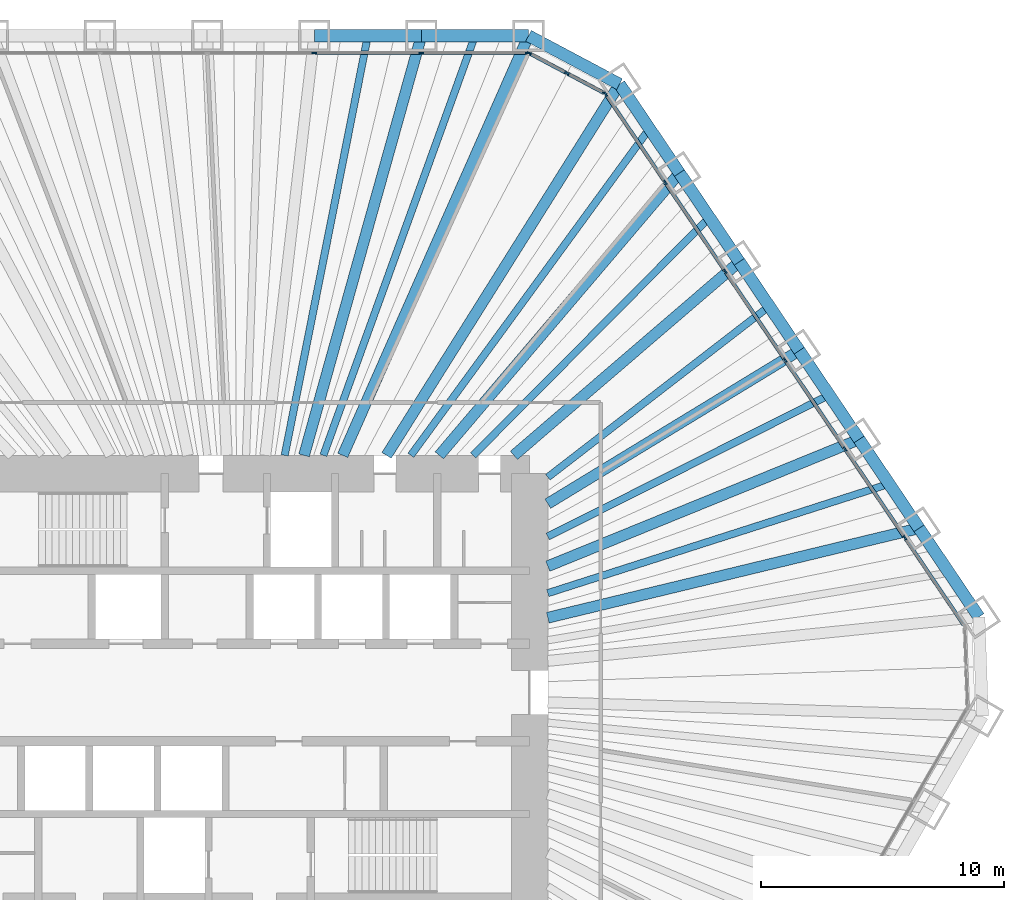
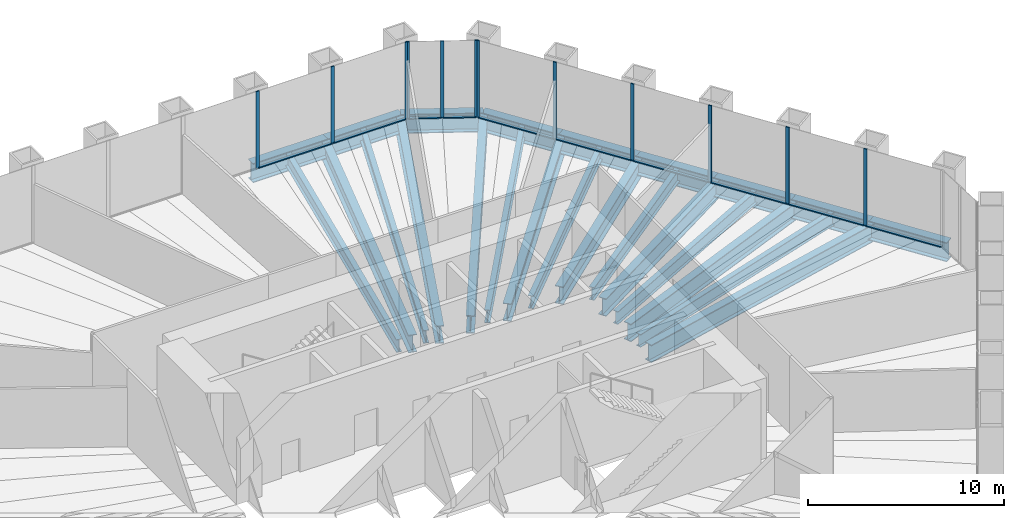
# One storey, part 7 of 14: 24 beams, 22 members, 3 elements without a shape of their own.
"""IFC4 building model written with IfcOpenShell, lengths in metres."""

from ifc_helpers import new_model, si_unit, direction, frame, origin, origin_2d, place, context, subcontext, project, spatial, rectangle, i_section, extrude, material, material_profile, profile_set, type_object, element, aggregate, save


model = new_model("IFC4")

# Units and contexts
model_context = context("Model", 3, precision=1e-05, world=origin(), true_north=direction((0.0, 1.0)))
body_context = subcontext(model_context, "Body", "Model", "MODEL_VIEW")
ifc_project = project(units=[si_unit("LENGTHUNIT", "METRE"), si_unit("AREAUNIT", "SQUARE_METRE"), si_unit("VOLUMEUNIT", "CUBIC_METRE"), si_unit("PLANEANGLEUNIT", "RADIAN"), si_unit("MASSUNIT", "GRAM", prefix="KILO")], contexts=[model_context])

# Site, building, storey
site_placement = place(None, origin())
site = spatial("IfcSite", under=ifc_project, at=site_placement, CompositionType="ELEMENT")
building_placement = place(site_placement, origin())
building = spatial("IfcBuilding", under=site, at=building_placement, Name="Qingtian Harvest Tower", CompositionType="ELEMENT")
storey_placement = place(building_placement, frame((0.0, 0.0, 52.0)))
storey = spatial("IfcBuildingStorey", under=building, at=storey_placement, Name="L10", CompositionType="ELEMENT", Elevation=52.0)

# Beams
ifc_material_1 = material(Name="Steel SM570MC", Category="steel")
ifc_material_profile_1 = material_profile(ifc_material_1, i_section(OverallWidth=0.449951171875, OverallDepth=1.10009765625, WebThickness=0.02197265625, FlangeThickness=0.044921875, at=origin_2d()), Name="H1100x450x22x45")
ifc_profile_set_1 = profile_set([ifc_material_profile_1], Name="Steel SM570MC")
beam_type_1 = type_object("IfcBeamType", Name="Corner floor beam FB8 H1100x450x22x45", PredefinedType="BEAM", material=ifc_profile_set_1)
beam_1_placement = place(storey_placement, frame((11.9560546875, 27.0, -0.75), z_axis=(-0.404898955654, -0.914361436036, 0.0), x_axis=(0.914361436036, -0.404898955654, 0.0)))
element("IfcBeam", 1, at=beam_1_placement, inside=storey, type_object=beam_type_1, Name="Floor beam FB8 N6", PredefinedType="BEAM", context=body_context, shape_type="SweptSolid", body=[
    extrude(i_section(OverallWidth=0.449951171875, OverallDepth=1.10009765625, WebThickness=0.02197265625, FlangeThickness=0.044921875, at=origin_2d()), origin(), (0.0, 0.0, 1.0), 18.86572265625),
])
beam_2_placement = place(storey_placement, frame((15.6982421875, 25.01025390625, -0.75), z_axis=(-0.531622796942, -0.846981228701, 0.0), x_axis=(0.846981228701, -0.531622796942, 0.0)))
element("IfcBeam", 2, at=beam_2_placement, inside=storey, type_object=beam_type_1, Name="Floor beam FB8 NE0", PredefinedType="BEAM", context=body_context, shape_type="SweptSolid", body=[
    extrude(i_section(OverallWidth=0.449951171875, OverallDepth=1.10009765625, WebThickness=0.02197265625, FlangeThickness=0.044921875, at=origin_2d()), origin(), (0.0, 0.0, 1.0), 18.017333984375),
])
ifc_material_2 = material(Name="Steel SM570MC", Category="steel")
ifc_material_profile_2 = material_profile(ifc_material_2, i_section(OverallWidth=0.449951171875, OverallDepth=1.10009765625, WebThickness=0.02197265625, FlangeThickness=0.044921875, at=origin_2d()), Name="H1100x450x22x45")
ifc_profile_set_2 = profile_set([ifc_material_profile_2], Name="Steel SM570MC")
beam_type_2 = type_object("IfcBeamType", Name="Floor beam FB1 H1100x450x22x45", PredefinedType="BEAM", material=ifc_profile_set_2)
beam_3_placement = place(storey_placement, frame((7.551513671875, 27.0, -0.75), z_axis=(-0.269343258019, -0.963044240604, 0.0), x_axis=(0.963044240604, -0.269343258019, 0.0)))
element("IfcBeam", 3, at=beam_3_placement, inside=storey, type_object=beam_type_2, Name="Floor beam FB1 N5", PredefinedType="BEAM", context=body_context, shape_type="SweptSolid", body=[
    extrude(i_section(OverallWidth=0.449951171875, OverallDepth=1.10009765625, WebThickness=0.02197265625, FlangeThickness=0.044921875, at=origin_2d()), origin(), (0.0, 0.0, 1.0), 17.911865234375),
])
beam_4_placement = place(storey_placement, frame((18.1611328125, 21.358642578125, -0.75), z_axis=(-0.647781887327, -0.761825850474, 0.0), x_axis=(0.761825850474, -0.647781887327, 0.0)))
element("IfcBeam", 4, at=beam_4_placement, inside=storey, type_object=beam_type_2, Name="Floor beam FB1 NE1", PredefinedType="BEAM", context=body_context, shape_type="SweptSolid", body=[
    extrude(i_section(OverallWidth=0.449951171875, OverallDepth=1.10009765625, WebThickness=0.02197265625, FlangeThickness=0.044921875, at=origin_2d()), origin(), (0.0, 0.0, 1.0), 15.238037109375),
])
beam_5_placement = place(storey_placement, frame((20.624267578125, 17.70703125, -0.75), z_axis=(-0.75873153072, -0.651403457384, 0.0), x_axis=(0.651403457384, -0.75873153072, 0.0)))
element("IfcBeam", 5, at=beam_5_placement, inside=storey, type_object=beam_type_2, Name="Floor beam FB1 NE2", PredefinedType="BEAM", context=body_context, shape_type="SweptSolid", body=[
    extrude(i_section(OverallWidth=0.449951171875, OverallDepth=1.10009765625, WebThickness=0.02197265625, FlangeThickness=0.044921875, at=origin_2d()), origin(), (0.0, 0.0, 1.0), 12.21533203125),
])
beam_6_placement = place(storey_placement, frame((23.08740234375, 14.0556640625, -0.75), z_axis=(-0.854157261259, -0.520014781558, 0.0), x_axis=(0.520014781558, -0.854157261259, 0.0)))
element("IfcBeam", 6, at=beam_6_placement, inside=storey, type_object=beam_type_2, Name="Floor beam FB1 NE3", PredefinedType="BEAM", context=body_context, shape_type="SweptSolid", body=[
    extrude(i_section(OverallWidth=0.449951171875, OverallDepth=1.10009765625, WebThickness=0.02197265625, FlangeThickness=0.044921875, at=origin_2d()), origin(), (0.0, 0.0, 1.0), 12.1025390625),
])
beam_7_placement = place(storey_placement, frame((25.55029296875, 10.404052734375, -0.75), z_axis=(-0.926156354735, -0.37713977062, 0.0), x_axis=(0.37713977062, -0.926156354735, 0.0)))
element("IfcBeam", 7, at=beam_7_placement, inside=storey, type_object=beam_type_2, Name="Floor beam FB1 NE4", PredefinedType="BEAM", context=body_context, shape_type="SweptSolid", body=[
    extrude(i_section(OverallWidth=0.449951171875, OverallDepth=1.10009765625, WebThickness=0.02197265625, FlangeThickness=0.044921875, at=origin_2d()), origin(), (0.0, 0.0, 1.0), 13.82080078125),
])
beam_8_placement = place(storey_placement, frame((28.013427734375, 6.75244140625, -0.75), z_axis=(-0.972155908389, -0.234334994792, 0.0), x_axis=(0.234334994792, -0.972155908389, 0.0)))
element("IfcBeam", 8, at=beam_8_placement, inside=storey, type_object=beam_type_2, Name="Floor beam FB1 NE5", PredefinedType="BEAM", context=body_context, shape_type="SweptSolid", body=[
    extrude(i_section(OverallWidth=0.449951171875, OverallDepth=1.10009765625, WebThickness=0.02197265625, FlangeThickness=0.044921875, at=origin_2d()), origin(), (0.0, 0.0, 1.0), 15.70068359375),
])
ifc_material_3 = material(Name="Steel SN490B", Category="steel")
ifc_material_profile_3 = material_profile(ifc_material_3, i_section(OverallWidth=0.300048828125, OverallDepth=0.800048828125, WebThickness=0.013916015625, FlangeThickness=0.02587890625, at=origin_2d()), Name="H800x300x14x26")
ifc_profile_set_3 = profile_set([ifc_material_profile_3], Name="Steel SN490B")
beam_type_3 = type_object("IfcBeamType", Name="Floor joist J1 H800x300x14x26", PredefinedType="JOIST", material=ifc_profile_set_3)
beam_9_placement = place(storey_placement, frame((5.349365234375, 27.0, -0.60009765625), z_axis=(-0.19435104803, -0.980932041545, 0.0), x_axis=(0.980932041545, -0.19435104803, 0.0)))
element("IfcBeam", 9, at=beam_9_placement, inside=storey, type_object=beam_type_3, Name="Floor joist J1 N4", PredefinedType="JOIST", context=body_context, shape_type="SweptSolid", body=[
    extrude(i_section(OverallWidth=0.300048828125, OverallDepth=0.800048828125, WebThickness=0.013916015625, FlangeThickness=0.02587890625, at=origin_2d()), origin(), (0.0, 0.0, 1.0), 17.585205078125),
])
beam_10_placement = place(storey_placement, frame((9.75390625, 27.0, -0.60009765625), z_axis=(-0.339766141765, -0.940509951521, 0.0), x_axis=(0.940509951521, -0.339766141765, 0.0)))
element("IfcBeam", 10, at=beam_10_placement, inside=storey, type_object=beam_type_3, Name="Floor joist J1 N5", PredefinedType="JOIST", context=body_context, shape_type="SweptSolid", body=[
    extrude(i_section(OverallWidth=0.300048828125, OverallDepth=0.800048828125, WebThickness=0.013916015625, FlangeThickness=0.02587890625, at=origin_2d()), origin(), (0.0, 0.0, 1.0), 18.341064453125),
])
beam_11_placement = place(storey_placement, frame((16.9296875, 23.1845703125, -0.60009765625), z_axis=(-0.589722175422, -0.80760618857, 0.0), x_axis=(0.80760618857, -0.589722175422, 0.0)))
element("IfcBeam", 11, at=beam_11_placement, inside=storey, type_object=beam_type_3, Name="Floor joist J1 NE0", PredefinedType="JOIST", context=body_context, shape_type="SweptSolid", body=[
    extrude(i_section(OverallWidth=0.300048828125, OverallDepth=0.800048828125, WebThickness=0.013916015625, FlangeThickness=0.02587890625, at=origin_2d()), origin(), (0.0, 0.0, 1.0), 16.635009765625),
])
beam_12_placement = place(storey_placement, frame((19.392822265625, 19.532958984375, -0.60009765625), z_axis=(-0.704560879039, -0.709643549768, 0.0), x_axis=(0.709643549768, -0.704560879039, 0.0)))
element("IfcBeam", 12, at=beam_12_placement, inside=storey, type_object=beam_type_3, Name="Floor joist J1 NE1", PredefinedType="JOIST", context=body_context, shape_type="SweptSolid", body=[
    extrude(i_section(OverallWidth=0.300048828125, OverallDepth=0.800048828125, WebThickness=0.013916015625, FlangeThickness=0.02587890625, at=origin_2d()), origin(), (0.0, 0.0, 1.0), 13.78564453125),
])
beam_13_placement = place(storey_placement, frame((21.855712890625, 15.88134765625, -0.60009765625), z_axis=(-0.79149450594, -0.611176281499, 0.0), x_axis=(0.611176281499, -0.79149450594, 0.0)))
element("IfcBeam", 13, at=beam_13_placement, inside=storey, type_object=beam_type_3, Name="Floor joist J1 NE2", PredefinedType="JOIST", context=body_context, shape_type="SweptSolid", body=[
    extrude(i_section(OverallWidth=0.300048828125, OverallDepth=0.800048828125, WebThickness=0.013916015625, FlangeThickness=0.02587890625, at=origin_2d()), origin(), (0.0, 0.0, 1.0), 11.50439453125),
])
beam_14_placement = place(storey_placement, frame((24.31884765625, 12.229736328125, -0.60009765625), z_axis=(-0.893391632689, -0.449278744924, 0.0), x_axis=(0.449278744924, -0.893391632689, 0.0)))
element("IfcBeam", 14, at=beam_14_placement, inside=storey, type_object=beam_type_3, Name="Floor joist J1 NE3", PredefinedType="JOIST", context=body_context, shape_type="SweptSolid", body=[
    extrude(i_section(OverallWidth=0.300048828125, OverallDepth=0.800048828125, WebThickness=0.013916015625, FlangeThickness=0.02587890625, at=origin_2d()), origin(), (0.0, 0.0, 1.0), 12.949462890625),
])
beam_15_placement = place(storey_placement, frame((26.78173828125, 8.578125, -0.60009765625), z_axis=(-0.952340804978, -0.305036048976, 0.0), x_axis=(0.305036048976, -0.952340804978, 0.0)))
element("IfcBeam", 15, at=beam_15_placement, inside=storey, type_object=beam_type_3, Name="Floor joist J1 NE4", PredefinedType="JOIST", context=body_context, shape_type="SweptSolid", body=[
    extrude(i_section(OverallWidth=0.300048828125, OverallDepth=0.800048828125, WebThickness=0.013916015625, FlangeThickness=0.02587890625, at=origin_2d()), origin(), (0.0, 0.0, 1.0), 14.73388671875),
])

# Curtain wall, members
ifc_material_4 = material(Name="Bronze-anodised aluminium curtain wall", Category="aluminium")
curtain_wall_type = type_object("IfcCurtainWallType", Name="Curtain wall CW2 farm reception", PredefinedType="USERDEFINED", material=ifc_material_4)
curtain_wall_1_placement = place(storey_placement, origin())
curtain_wall_1 = element("IfcCurtainWall", 16, at=curtain_wall_1_placement, inside=storey, type_object=curtain_wall_type, Name="Curtain wall CW2 L10 N0-5", ObjectType="RECESSED CURTAIN WALL", PredefinedType="USERDEFINED")
ifc_material_5 = material(Name="Bronze-anodised aluminium mullion", Category="aluminium")
ifc_material_profile_4 = material_profile(ifc_material_5, rectangle(XDim=0.06494140625, YDim=0.199951171875, at=origin_2d()), Name="AL 65x200")
ifc_profile_set_4 = profile_set([ifc_material_profile_4], Name="Bronze-anodised aluminium mullion")
member_type_1 = type_object("IfcMemberType", Name="Mullion CWM 65x200", PredefinedType="MULLION", material=ifc_profile_set_4)
member_1_placement = place(storey_placement, frame((3.14697265625, 26.300048828125, 0.0), z_axis=(0.0, 0.0, 1.0), x_axis=(0.0, 1.0, 0.0)))
member_1 = element("IfcMember", 17, at=member_1_placement, type_object=member_type_1, Name="CW2 mullion 5", PredefinedType="MULLION", context=body_context, shape_type="SweptSolid", body=[
    extrude(rectangle(XDim=0.06494140625, YDim=0.199951171875, at=origin_2d()), origin(), (0.0, 0.0, 1.0), 4.800048828125),
])
member_2_placement = place(storey_placement, frame((7.551513671875, 26.300048828125, 0.0), z_axis=(0.0, 0.0, 1.0), x_axis=(0.0, 1.0, 0.0)))
member_2 = element("IfcMember", 18, at=member_2_placement, type_object=member_type_1, Name="CW2 mullion 6", PredefinedType="MULLION", context=body_context, shape_type="SweptSolid", body=[
    extrude(rectangle(XDim=0.06494140625, YDim=0.199951171875, at=origin_2d()), origin(), (0.0, 0.0, 1.0), 4.800048828125),
])
member_3_placement = place(storey_placement, frame((11.923583984375, 26.300048828125, 0.0), z_axis=(0.0, 0.0, 1.0), x_axis=(0.0, 1.0, 0.0)))
member_3 = element("IfcMember", 19, at=member_3_placement, type_object=member_type_1, Name="CW2 mullion 7", PredefinedType="MULLION", context=body_context, shape_type="SweptSolid", body=[
    extrude(rectangle(XDim=0.06494140625, YDim=0.199951171875, at=origin_2d()), origin(), (0.0, 0.0, 1.0), 4.800048828125),
])

curtain_wall_2_placement = place(storey_placement, origin())
curtain_wall_2 = element("IfcCurtainWall", 20, at=curtain_wall_2_placement, inside=storey, type_object=curtain_wall_type, Name="Curtain wall CW2 L10 NC", ObjectType="RECESSED CURTAIN WALL", PredefinedType="USERDEFINED")
member_4_placement = place(storey_placement, frame((11.98486328125, 26.28466796875, 0.0), z_axis=(0.0, 0.0, 1.0), x_axis=(0.469471562786, 0.882947592859, 0.0)))
member_4 = element("IfcMember", 21, at=member_4_placement, type_object=member_type_1, Name="CW2 mullion 1", PredefinedType="MULLION", context=body_context, shape_type="SweptSolid", body=[
    extrude(rectangle(XDim=0.06494140625, YDim=0.199951171875, at=origin_2d()), origin(), (0.0, 0.0, 1.0), 4.800048828125),
])
member_5_placement = place(storey_placement, frame((13.537109375, 25.45947265625, 0.0), z_axis=(0.0, 0.0, 1.0), x_axis=(0.469471562786, 0.882947592859, 0.0)))
member_5 = element("IfcMember", 22, at=member_5_placement, type_object=member_type_1, Name="CW2 mullion 2", PredefinedType="MULLION", context=body_context, shape_type="SweptSolid", body=[
    extrude(rectangle(XDim=0.06494140625, YDim=0.199951171875, at=origin_2d()), origin(), (0.0, 0.0, 1.0), 4.800048828125),
])
member_6_placement = place(storey_placement, frame((15.089111328125, 24.634033203125, 0.0), z_axis=(0.0, 0.0, 1.0), x_axis=(0.469471562786, 0.882947592859, 0.0)))
member_6 = element("IfcMember", 23, at=member_6_placement, type_object=member_type_1, Name="CW2 mullion 3", PredefinedType="MULLION", context=body_context, shape_type="SweptSolid", body=[
    extrude(rectangle(XDim=0.06494140625, YDim=0.199951171875, at=origin_2d()), origin(), (0.0, 0.0, 1.0), 4.800048828125),
])

curtain_wall_3_placement = place(storey_placement, origin())
curtain_wall_3 = element("IfcCurtainWall", 24, at=curtain_wall_3_placement, inside=storey, type_object=curtain_wall_type, Name="Curtain wall CW2 L10 NE0-5", ObjectType="RECESSED CURTAIN WALL", PredefinedType="USERDEFINED")
member_7_placement = place(storey_placement, frame((15.135986328125, 24.592041015625, 0.0), z_axis=(0.0, 0.0, 1.0), x_axis=(0.829037572555, 0.559192903471, 0.0)))
member_7 = element("IfcMember", 25, at=member_7_placement, type_object=member_type_1, Name="CW2 mullion 1", PredefinedType="MULLION", context=body_context, shape_type="SweptSolid", body=[
    extrude(rectangle(XDim=0.06494140625, YDim=0.199951171875, at=origin_2d()), origin(), (0.0, 0.0, 1.0), 4.800048828125),
])
member_8_placement = place(storey_placement, frame((17.580810546875, 20.96728515625, 0.0), z_axis=(0.0, 0.0, 1.0), x_axis=(0.829037572555, 0.559192903471, 0.0)))
member_8 = element("IfcMember", 26, at=member_8_placement, type_object=member_type_1, Name="CW2 mullion 2", PredefinedType="MULLION", context=body_context, shape_type="SweptSolid", body=[
    extrude(rectangle(XDim=0.06494140625, YDim=0.199951171875, at=origin_2d()), origin(), (0.0, 0.0, 1.0), 4.800048828125),
])
member_9_placement = place(storey_placement, frame((20.0439453125, 17.315673828125, 0.0), z_axis=(0.0, 0.0, 1.0), x_axis=(0.829037572555, 0.559192903471, 0.0)))
member_9 = element("IfcMember", 27, at=member_9_placement, type_object=member_type_1, Name="CW2 mullion 3", PredefinedType="MULLION", context=body_context, shape_type="SweptSolid", body=[
    extrude(rectangle(XDim=0.06494140625, YDim=0.199951171875, at=origin_2d()), origin(), (0.0, 0.0, 1.0), 4.800048828125),
])
member_10_placement = place(storey_placement, frame((22.507080078125, 13.6640625, 0.0), z_axis=(0.0, 0.0, 1.0), x_axis=(0.829037572555, 0.559192903471, 0.0)))
member_10 = element("IfcMember", 28, at=member_10_placement, type_object=member_type_1, Name="CW2 mullion 4", PredefinedType="MULLION", context=body_context, shape_type="SweptSolid", body=[
    extrude(rectangle(XDim=0.06494140625, YDim=0.199951171875, at=origin_2d()), origin(), (0.0, 0.0, 1.0), 4.800048828125),
])
member_11_placement = place(storey_placement, frame((24.969970703125, 10.012451171875, 0.0), z_axis=(0.0, 0.0, 1.0), x_axis=(0.829037572555, 0.559192903471, 0.0)))
member_11 = element("IfcMember", 29, at=member_11_placement, type_object=member_type_1, Name="CW2 mullion 5", PredefinedType="MULLION", context=body_context, shape_type="SweptSolid", body=[
    extrude(rectangle(XDim=0.06494140625, YDim=0.199951171875, at=origin_2d()), origin(), (0.0, 0.0, 1.0), 4.800048828125),
])
member_12_placement = place(storey_placement, frame((27.43310546875, 6.36083984375, 0.0), z_axis=(0.0, 0.0, 1.0), x_axis=(0.829037572555, 0.559192903471, 0.0)))
member_12 = element("IfcMember", 30, at=member_12_placement, type_object=member_type_1, Name="CW2 mullion 6", PredefinedType="MULLION", context=body_context, shape_type="SweptSolid", body=[
    extrude(rectangle(XDim=0.06494140625, YDim=0.199951171875, at=origin_2d()), origin(), (0.0, 0.0, 1.0), 4.800048828125),
])

# Beams
ifc_material_6 = material(Name="Steel SM570MC", Category="steel")
ifc_material_profile_5 = material_profile(ifc_material_6, i_section(OverallWidth=0.5, OverallDepth=1.199951171875, WebThickness=0.02490234375, FlangeThickness=0.050048828125, at=origin_2d()), Name="H1200x500x25x50")
ifc_profile_set_5 = profile_set([ifc_material_profile_5], Name="Steel SM570MC")
beam_type_4 = type_object("IfcBeamType", Name="Spandrel beam SB1 H1200x500x25x50", PredefinedType="SPANDREL", material=ifc_profile_set_5)
for number, where, z_axis, x_axis, name in (
    (31, (3.14697265625, 27.0, -0.60009765625), (1.0, 0.0, 0.0), (0.0, 1.0, 0.0), "Spandrel SB1 N4"),
    (32, (7.551513671875, 27.0, -0.60009765625), (1.0, 0.0, 0.0), (0.0, 1.0, 0.0), "Spandrel SB1 N5"),
):
    element("IfcBeam", number, at=place(storey_placement, frame(where, z_axis=z_axis, x_axis=x_axis)), inside=storey, type_object=beam_type_4, Name=name, PredefinedType="SPANDREL", context=body_context, shape_type="SweptSolid", body=[
        extrude(i_section(OverallWidth=0.5, OverallDepth=1.199951171875, WebThickness=0.02490234375, FlangeThickness=0.050048828125, at=origin_2d()), origin(), (0.0, 0.0, 1.0), 4.404541015625),
    ])
beam_16_placement = place(storey_placement, frame((11.9560546875, 27.0, -0.60009765625), z_axis=(0.882948599748, -0.469469669099, 0.0), x_axis=(0.469469669099, 0.882948599748, 0.0)))
element("IfcBeam", 33, at=beam_16_placement, inside=storey, type_object=beam_type_4, Name="Spandrel SB1 NC", PredefinedType="SPANDREL", context=body_context, shape_type="SweptSolid", body=[
    extrude(i_section(OverallWidth=0.5, OverallDepth=1.199951171875, WebThickness=0.02490234375, FlangeThickness=0.050048828125, at=origin_2d()), origin(), (0.0, 0.0, 1.0), 4.23828125),
])
beam_17_placement = place(storey_placement, frame((15.6982421875, 25.01025390625, -0.60009765625), z_axis=(0.559169135272, -0.829053603912, 0.0), x_axis=(0.829053603912, 0.559169135272, 0.0)))
element("IfcBeam", 34, at=beam_17_placement, inside=storey, type_object=beam_type_4, Name="Spandrel SB1 NE0", PredefinedType="SPANDREL", context=body_context, shape_type="SweptSolid", body=[
    extrude(i_section(OverallWidth=0.5, OverallDepth=1.199951171875, WebThickness=0.02490234375, FlangeThickness=0.050048828125, at=origin_2d()), origin(), (0.0, 0.0, 1.0), 4.404541015625),
])
beam_18_placement = place(storey_placement, frame((18.1611328125, 21.358642578125, -0.60009765625), z_axis=(0.559207231603, -0.829027907928, 0.0), x_axis=(0.829027907928, 0.559207231603, 0.0)))
element("IfcBeam", 35, at=beam_18_placement, inside=storey, type_object=beam_type_4, Name="Spandrel SB1 NE1", PredefinedType="SPANDREL", context=body_context, shape_type="SweptSolid", body=[
    extrude(i_section(OverallWidth=0.5, OverallDepth=1.199951171875, WebThickness=0.02490234375, FlangeThickness=0.050048828125, at=origin_2d()), origin(), (0.0, 0.0, 1.0), 4.40478515625),
])
for number, where, z_axis, x_axis, name in (
    (36, (20.624267578125, 17.70703125, -0.60009765625), (0.559232928578, -0.829010573874, 0.0), (0.829010573874, 0.559232928578, 0.0), "Spandrel SB1 NE2"),
    (37, (23.08740234375, 14.0556640625, -0.60009765625), (0.559169135272, -0.829053603912, 0.0), (0.829053603912, 0.559169135272, 0.0), "Spandrel SB1 NE3"),
):
    element("IfcBeam", number, at=place(storey_placement, frame(where, z_axis=z_axis, x_axis=x_axis)), inside=storey, type_object=beam_type_4, Name=name, PredefinedType="SPANDREL", context=body_context, shape_type="SweptSolid", body=[
        extrude(i_section(OverallWidth=0.5, OverallDepth=1.199951171875, WebThickness=0.02490234375, FlangeThickness=0.050048828125, at=origin_2d()), origin(), (0.0, 0.0, 1.0), 4.404541015625),
    ])
beam_19_placement = place(storey_placement, frame((25.55029296875, 10.404052734375, -0.60009765625), z_axis=(0.559207231603, -0.829027907928, 0.0), x_axis=(0.829027907928, 0.559207231603, 0.0)))
element("IfcBeam", 38, at=beam_19_placement, inside=storey, type_object=beam_type_4, Name="Spandrel SB1 NE4", PredefinedType="SPANDREL", context=body_context, shape_type="SweptSolid", body=[
    extrude(i_section(OverallWidth=0.5, OverallDepth=1.199951171875, WebThickness=0.02490234375, FlangeThickness=0.050048828125, at=origin_2d()), origin(), (0.0, 0.0, 1.0), 4.40478515625),
])
beam_20_placement = place(storey_placement, frame((28.013427734375, 6.75244140625, -0.60009765625), z_axis=(0.559169135272, -0.829053603912, 0.0), x_axis=(0.829053603912, 0.559169135272, 0.0)))
element("IfcBeam", 39, at=beam_20_placement, inside=storey, type_object=beam_type_4, Name="Spandrel SB1 NE5", PredefinedType="SPANDREL", context=body_context, shape_type="SweptSolid", body=[
    extrude(i_section(OverallWidth=0.5, OverallDepth=1.199951171875, WebThickness=0.02490234375, FlangeThickness=0.050048828125, at=origin_2d()), origin(), (0.0, 0.0, 1.0), 4.404541015625),
])

# Member
ifc_material_7 = material(Name="Bronze-anodised aluminium transom", Category="aluminium")
ifc_material_profile_6 = material_profile(ifc_material_7, rectangle(XDim=0.14990234375, YDim=0.06494140625, at=origin_2d()), Name="AL 65x150")
ifc_profile_set_6 = profile_set([ifc_material_profile_6], Name="Bronze-anodised aluminium transom")
member_type_2 = type_object("IfcMemberType", Name="Transom CWT 65x150", PredefinedType="USERDEFINED", material=ifc_profile_set_6)
member_13_placement = place(storey_placement, frame((3.179443359375, 26.300048828125, 0.032470703125), z_axis=(1.0, 0.0, 0.0), x_axis=(0.0, 1.0, 0.0)))
member_13 = element("IfcMember", 40, at=member_13_placement, type_object=member_type_2, Name="CW2 transom 5.1", ObjectType="TRANSOM", PredefinedType="USERDEFINED", context=body_context, shape_type="SweptSolid", body=[
    extrude(rectangle(XDim=0.14990234375, YDim=0.06494140625, at=origin_2d()), origin(), (0.0, 0.0, 1.0), 4.339599609375),
])

member_14_placement = place(storey_placement, frame((7.583984375, 26.300048828125, 0.032470703125), z_axis=(1.0, 0.0, 0.0), x_axis=(0.0, 1.0, 0.0)))
member_14 = element("IfcMember", 41, at=member_14_placement, type_object=member_type_2, Name="CW2 transom 6.1", ObjectType="TRANSOM", PredefinedType="USERDEFINED", context=body_context, shape_type="SweptSolid", body=[
    extrude(rectangle(XDim=0.14990234375, YDim=0.06494140625, at=origin_2d()), origin(), (0.0, 0.0, 1.0), 4.30712890625),
])

aggregate(curtain_wall_1, [member_1, member_2, member_3, member_13, member_14])

member_15_placement = place(storey_placement, frame((12.013427734375, 26.26953125, 0.032470703125), z_axis=(0.882927080927, -0.469510138086, 0.0), x_axis=(0.469510138086, 0.882927080927, 0.0)))
member_15 = element("IfcMember", 42, at=member_15_placement, type_object=member_type_2, Name="CW2 transom 1.1", ObjectType="TRANSOM", PredefinedType="USERDEFINED", context=body_context, shape_type="SweptSolid", body=[
    extrude(rectangle(XDim=0.14990234375, YDim=0.06494140625, at=origin_2d()), origin(), (0.0, 0.0, 1.0), 1.693115234375),
])

member_16_placement = place(storey_placement, frame((13.565673828125, 25.444091796875, 0.032470703125), z_axis=(0.882986854304, -0.469397715297, 0.0), x_axis=(0.469397715297, 0.882986854304, 0.0)))
member_16 = element("IfcMember", 43, at=member_16_placement, type_object=member_type_2, Name="CW2 transom 2.1", ObjectType="TRANSOM", PredefinedType="USERDEFINED", context=body_context, shape_type="SweptSolid", body=[
    extrude(rectangle(XDim=0.14990234375, YDim=0.06494140625, at=origin_2d()), origin(), (0.0, 0.0, 1.0), 1.69287109375),
])

aggregate(curtain_wall_2, [member_4, member_5, member_6, member_15, member_16])

member_17_placement = place(storey_placement, frame((15.154296875, 24.56494140625, 0.032470703125), z_axis=(0.559178817275, -0.82904707364, 0.0), x_axis=(0.82904707364, 0.559178817275, 0.0)))
member_17 = element("IfcMember", 44, at=member_17_placement, type_object=member_type_2, Name="CW2 transom 1.1", ObjectType="TRANSOM", PredefinedType="USERDEFINED", context=body_context, shape_type="SweptSolid", body=[
    extrude(rectangle(XDim=0.14990234375, YDim=0.06494140625, at=origin_2d()), origin(), (0.0, 0.0, 1.0), 4.30712890625),
])

member_18_placement = place(storey_placement, frame((17.59912109375, 20.9404296875, 0.032470703125), z_axis=(0.559210013199, -0.82902603164, 0.0), x_axis=(0.82902603164, 0.559210013199, 0.0)))
member_18 = element("IfcMember", 45, at=member_18_placement, type_object=member_type_2, Name="CW2 transom 2.1", ObjectType="TRANSOM", PredefinedType="USERDEFINED", context=body_context, shape_type="SweptSolid", body=[
    extrude(rectangle(XDim=0.14990234375, YDim=0.06494140625, at=origin_2d()), origin(), (0.0, 0.0, 1.0), 4.339599609375),
])

member_19_placement = place(storey_placement, frame((20.06201171875, 17.288818359375, 0.032470703125), z_axis=(0.559210013199, -0.82902603164, 0.0), x_axis=(0.82902603164, 0.559210013199, 0.0)))
member_19 = element("IfcMember", 46, at=member_19_placement, type_object=member_type_2, Name="CW2 transom 3.1", ObjectType="TRANSOM", PredefinedType="USERDEFINED", context=body_context, shape_type="SweptSolid", body=[
    extrude(rectangle(XDim=0.14990234375, YDim=0.06494140625, at=origin_2d()), origin(), (0.0, 0.0, 1.0), 4.339599609375),
])

member_20_placement = place(storey_placement, frame((22.525146484375, 13.63720703125, 0.032470703125), z_axis=(0.559210013199, -0.82902603164, 0.0), x_axis=(0.82902603164, 0.559210013199, 0.0)))
member_20 = element("IfcMember", 47, at=member_20_placement, type_object=member_type_2, Name="CW2 transom 4.1", ObjectType="TRANSOM", PredefinedType="USERDEFINED", context=body_context, shape_type="SweptSolid", body=[
    extrude(rectangle(XDim=0.14990234375, YDim=0.06494140625, at=origin_2d()), origin(), (0.0, 0.0, 1.0), 4.339599609375),
])

member_21_placement = place(storey_placement, frame((24.98828125, 9.985595703125, 0.032470703125), z_axis=(0.559171345763, -0.829052113005, 0.0), x_axis=(0.829052113005, 0.559171345763, 0.0)))
member_21 = element("IfcMember", 48, at=member_21_placement, type_object=member_type_2, Name="CW2 transom 5.1", ObjectType="TRANSOM", PredefinedType="USERDEFINED", context=body_context, shape_type="SweptSolid", body=[
    extrude(rectangle(XDim=0.14990234375, YDim=0.06494140625, at=origin_2d()), origin(), (0.0, 0.0, 1.0), 4.339599609375),
])

member_22_placement = place(storey_placement, frame((27.451171875, 6.333984375, 0.032470703125), z_axis=(0.559178817275, -0.82904707364, 0.0), x_axis=(0.82904707364, 0.559178817275, 0.0)))
member_22 = element("IfcMember", 49, at=member_22_placement, type_object=member_type_2, Name="CW2 transom 6.1", ObjectType="TRANSOM", PredefinedType="USERDEFINED", context=body_context, shape_type="SweptSolid", body=[
    extrude(rectangle(XDim=0.14990234375, YDim=0.06494140625, at=origin_2d()), origin(), (0.0, 0.0, 1.0), 4.30712890625),
])

aggregate(curtain_wall_3, [member_7, member_8, member_9, member_10, member_11, member_12, member_17, member_18, member_19, member_20, member_21, member_22])

save(model, "model.ifc")
